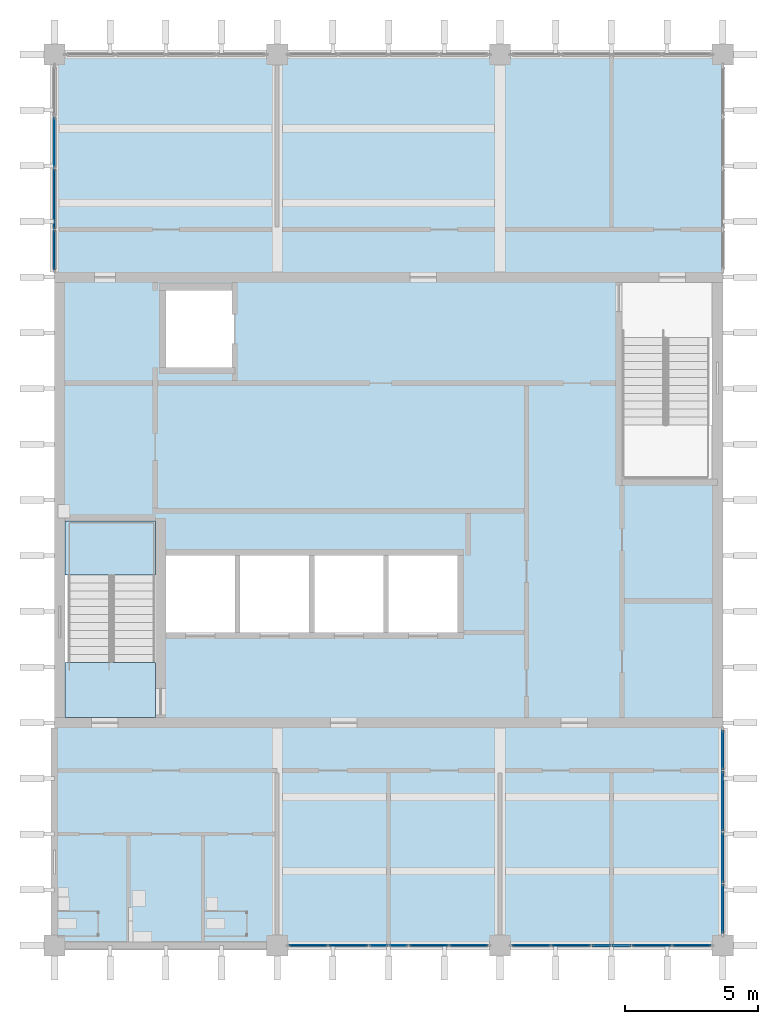
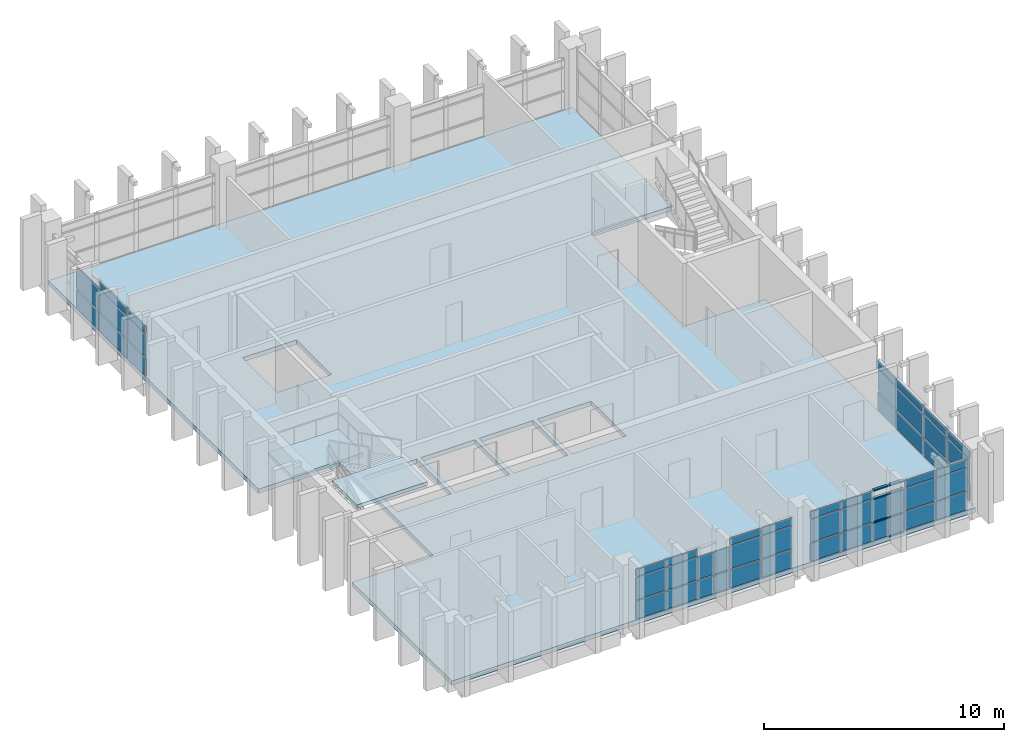
# One storey, part 5 of 11: 52 plates, 7 members, 3 slabs, 5 elements without a shape of their own.
"""IFC4 building model written with IfcOpenShell, lengths in metres."""

from ifc_helpers import new_model, si_unit, direction, frame, origin, origin_2d, place, context, subcontext, project, spatial, polyline, rectangle, outline, extrude, material, layer, layer_set, material_profile, profile_set, type_object, element, aggregate, save


model = new_model("IFC4")

# Units and contexts
model_context = context("Model", 3, precision=1e-05, world=origin(), true_north=direction((0.0, 1.0)))
body_context = subcontext(model_context, "Body", "Model", "MODEL_VIEW")
ifc_project = project(units=[si_unit("LENGTHUNIT", "METRE"), si_unit("AREAUNIT", "SQUARE_METRE"), si_unit("VOLUMEUNIT", "CUBIC_METRE"), si_unit("PLANEANGLEUNIT", "RADIAN"), si_unit("MASSUNIT", "GRAM", prefix="KILO")], contexts=[model_context])

# Site, building, storey
site_placement = place(None, origin())
site = spatial("IfcSite", under=ifc_project, at=site_placement, CompositionType="ELEMENT")
building_placement = place(site_placement, origin())
building = spatial("IfcBuilding", under=site, at=building_placement, Name="Rulbaag Community and Learning Centre", CompositionType="ELEMENT")
storey_placement = place(building_placement, frame((0.0, 0.0, 46.800048828125)))
storey = spatial("IfcBuildingStorey", under=building, at=storey_placement, Name="L12", CompositionType="ELEMENT", Elevation=46.800048828125)

# Curtain wall, members
ifc_material_1 = material(Name="Aluminium", Category="aluminium")
ifc_layer_1 = layer(ifc_material_1, 0.14990234375)
ifc_layer_set_1 = layer_set([ifc_layer_1], Name="CW-S")
curtain_wall_type_1 = type_object("IfcCurtainWallType", Name="CW-S", PredefinedType="USERDEFINED", material=ifc_layer_set_1)
curtain_wall_1_placement = place(storey_placement, origin())
curtain_wall_1 = element("IfcCurtainWall", 1, at=curtain_wall_1_placement, inside=storey, type_object=curtain_wall_type_1, Name="GS-L12-02", ObjectType="UNITISED CURTAIN WALL", PredefinedType="USERDEFINED")
ifc_material_2 = material(Name="Aluminium transom", Category="aluminium")
ifc_material_profile = material_profile(ifc_material_2, rectangle(XDim=0.125, YDim=0.06005859375, at=origin_2d()), Name="AL 60x125 T")
ifc_profile_set = profile_set([ifc_material_profile], Name="Aluminium transom")
member_type = type_object("IfcMemberType", Name="CW-S-TRN", PredefinedType="USERDEFINED", material=ifc_profile_set)
member_1_placement = place(storey_placement, frame((163.070068359375, 84.0, 1.0), z_axis=(1.0, 0.0, 0.0), x_axis=(0.0, 1.0, 0.0)))
member_1 = element("IfcMember", 2, at=member_1_placement, type_object=member_type, Name="GS transom 3.2", ObjectType="TRANSOM", PredefinedType="USERDEFINED", context=body_context, shape_type="SweptSolid", body=[
    extrude(rectangle(XDim=0.125, YDim=0.06005859375, at=origin_2d()), origin(), (0.0, 0.0, 1.0), 0.699951171875),
])
member_2_placement = place(storey_placement, frame((163.070068359375, 84.0, 2.199951171875), z_axis=(1.0, 0.0, 0.0), x_axis=(0.0, 1.0, 0.0)))
member_2 = element("IfcMember", 3, at=member_2_placement, type_object=member_type, Name="GS transom 3.3", ObjectType="TRANSOM", PredefinedType="USERDEFINED", context=body_context, shape_type="SweptSolid", body=[
    extrude(rectangle(XDim=0.125, YDim=0.06005859375, at=origin_2d()), origin(), (0.0, 0.0, 1.0), 0.699951171875),
])
member_3_placement = place(storey_placement, frame((163.070068359375, 84.0, 2.619873046875), z_axis=(1.0, 0.0, 0.0), x_axis=(0.0, 1.0, 0.0)))
member_3 = element("IfcMember", 4, at=member_3_placement, type_object=member_type, Name="GS transom 3.4", ObjectType="TRANSOM", PredefinedType="USERDEFINED", context=body_context, shape_type="SweptSolid", body=[
    extrude(rectangle(XDim=0.125, YDim=0.06005859375, at=origin_2d()), origin(), (0.0, 0.0, 1.0), 0.699951171875),
])
member_4_placement = place(storey_placement, frame((163.830078125, 84.0, 0.030029296875), z_axis=(1.0, 0.0, 0.0), x_axis=(0.0, 1.0, 0.0)))
member_4 = element("IfcMember", 5, at=member_4_placement, type_object=member_type, Name="GS transom 4.1", ObjectType="TRANSOM", PredefinedType="USERDEFINED", context=body_context, shape_type="SweptSolid", body=[
    extrude(rectangle(XDim=0.125, YDim=0.06005859375, at=origin_2d()), origin(), (0.0, 0.0, 1.0), 0.699951171875),
])
member_5_placement = place(storey_placement, frame((163.830078125, 84.0, 1.0), z_axis=(1.0, 0.0, 0.0), x_axis=(0.0, 1.0, 0.0)))
member_5 = element("IfcMember", 6, at=member_5_placement, type_object=member_type, Name="GS transom 4.2", ObjectType="TRANSOM", PredefinedType="USERDEFINED", context=body_context, shape_type="SweptSolid", body=[
    extrude(rectangle(XDim=0.125, YDim=0.06005859375, at=origin_2d()), origin(), (0.0, 0.0, 1.0), 0.699951171875),
])
member_6_placement = place(storey_placement, frame((163.830078125, 84.0, 2.199951171875), z_axis=(1.0, 0.0, 0.0), x_axis=(0.0, 1.0, 0.0)))
member_6 = element("IfcMember", 7, at=member_6_placement, type_object=member_type, Name="GS transom 4.3", ObjectType="TRANSOM", PredefinedType="USERDEFINED", context=body_context, shape_type="SweptSolid", body=[
    extrude(rectangle(XDim=0.125, YDim=0.06005859375, at=origin_2d()), origin(), (0.0, 0.0, 1.0), 0.699951171875),
])
member_7_placement = place(storey_placement, frame((163.830078125, 84.0, 2.619873046875), z_axis=(1.0, 0.0, 0.0), x_axis=(0.0, 1.0, 0.0)))
member_7 = element("IfcMember", 8, at=member_7_placement, type_object=member_type, Name="GS transom 4.4", ObjectType="TRANSOM", PredefinedType="USERDEFINED", context=body_context, shape_type="SweptSolid", body=[
    extrude(rectangle(XDim=0.125, YDim=0.06005859375, at=origin_2d()), origin(), (0.0, 0.0, 1.0), 0.699951171875),
])

# Curtain wall, plates
curtain_wall_2_placement = place(storey_placement, origin())
curtain_wall_2 = element("IfcCurtainWall", 9, at=curtain_wall_2_placement, inside=storey, type_object=curtain_wall_type_1, Name="GS-L12-01", ObjectType="UNITISED CURTAIN WALL", PredefinedType="USERDEFINED")
ifc_layer_2 = layer(ifc_material_1, 0.054931640625)
ifc_layer_set_2 = layer_set([ifc_layer_2], Name="CW-S-SPN")
plate_type_1 = type_object("IfcPlateType", Name="CW-S-SPN", PredefinedType="CURTAIN_PANEL", material=ifc_layer_set_2)
plate_1_placement = place(storey_placement, frame((152.375, 84.0, 0.06005859375), z_axis=(0.0, 0.0, 1.0), x_axis=(1.0, 0.0, 0.0)))
plate_1 = element("IfcPlate", 10, at=plate_1_placement, type_object=plate_type_1, Name="GS spandrel panel", PredefinedType="CURTAIN_PANEL", context=body_context, shape_type="SweptSolid", body=[
    extrude(rectangle(XDim=1.429931640625, YDim=0.054931640625, at=origin_2d()), origin(), (0.0, 0.0, 1.0), 0.909912109375),
])
plate_2_placement = place(storey_placement, frame((152.375, 84.0, 2.22998046875), z_axis=(0.0, 0.0, 1.0), x_axis=(1.0, 0.0, 0.0)))
plate_2 = element("IfcPlate", 11, at=plate_2_placement, type_object=plate_type_1, Name="GS spandrel panel", PredefinedType="CURTAIN_PANEL", context=body_context, shape_type="SweptSolid", body=[
    extrude(rectangle(XDim=1.429931640625, YDim=0.054931640625, at=origin_2d()), origin(), (0.0, 0.0, 1.0), 0.360107421875),
])
plate_3_placement = place(storey_placement, frame((153.8798828125, 84.0, 0.06005859375), z_axis=(0.0, 0.0, 1.0), x_axis=(1.0, 0.0, 0.0)))
plate_3 = element("IfcPlate", 12, at=plate_3_placement, type_object=plate_type_1, Name="GS spandrel panel", PredefinedType="CURTAIN_PANEL", context=body_context, shape_type="SweptSolid", body=[
    extrude(rectangle(XDim=1.4599609375, YDim=0.054931640625, at=origin_2d()), origin(), (0.0, 0.0, 1.0), 0.909912109375),
])
plate_4_placement = place(storey_placement, frame((153.8798828125, 84.0, 2.22998046875), z_axis=(0.0, 0.0, 1.0), x_axis=(1.0, 0.0, 0.0)))
plate_4 = element("IfcPlate", 13, at=plate_4_placement, type_object=plate_type_1, Name="GS spandrel panel", PredefinedType="CURTAIN_PANEL", context=body_context, shape_type="SweptSolid", body=[
    extrude(rectangle(XDim=1.4599609375, YDim=0.054931640625, at=origin_2d()), origin(), (0.0, 0.0, 1.0), 0.360107421875),
])
plate_5_placement = place(storey_placement, frame((155.02001953125, 84.0, 0.06005859375), z_axis=(0.0, 0.0, 1.0), x_axis=(1.0, 0.0, 0.0)))
plate_5 = element("IfcPlate", 14, at=plate_5_placement, type_object=plate_type_1, Name="GS spandrel panel", PredefinedType="CURTAIN_PANEL", context=body_context, shape_type="SweptSolid", body=[
    extrude(rectangle(XDim=0.699951171875, YDim=0.054931640625, at=origin_2d()), origin(), (0.0, 0.0, 1.0), 0.909912109375),
])
plate_6_placement = place(storey_placement, frame((155.780029296875, 84.0, 0.06005859375), z_axis=(0.0, 0.0, 1.0), x_axis=(1.0, 0.0, 0.0)))
plate_6 = element("IfcPlate", 15, at=plate_6_placement, type_object=plate_type_1, Name="GS spandrel panel", PredefinedType="CURTAIN_PANEL", context=body_context, shape_type="SweptSolid", body=[
    extrude(rectangle(XDim=0.699951171875, YDim=0.054931640625, at=origin_2d()), origin(), (0.0, 0.0, 1.0), 0.909912109375),
])
plate_7_placement = place(storey_placement, frame((156.919921875, 84.0, 0.06005859375), z_axis=(0.0, 0.0, 1.0), x_axis=(1.0, 0.0, 0.0)))
plate_7 = element("IfcPlate", 16, at=plate_7_placement, type_object=plate_type_1, Name="GS spandrel panel", PredefinedType="CURTAIN_PANEL", context=body_context, shape_type="SweptSolid", body=[
    extrude(rectangle(XDim=1.4599609375, YDim=0.054931640625, at=origin_2d()), origin(), (0.0, 0.0, 1.0), 0.909912109375),
])
plate_8_placement = place(storey_placement, frame((156.919921875, 84.0, 2.22998046875), z_axis=(0.0, 0.0, 1.0), x_axis=(1.0, 0.0, 0.0)))
plate_8 = element("IfcPlate", 17, at=plate_8_placement, type_object=plate_type_1, Name="GS spandrel panel", PredefinedType="CURTAIN_PANEL", context=body_context, shape_type="SweptSolid", body=[
    extrude(rectangle(XDim=1.4599609375, YDim=0.054931640625, at=origin_2d()), origin(), (0.0, 0.0, 1.0), 0.360107421875),
])
plate_9_placement = place(storey_placement, frame((158.425048828125, 84.0, 0.06005859375), z_axis=(0.0, 0.0, 1.0), x_axis=(1.0, 0.0, 0.0)))
plate_9 = element("IfcPlate", 18, at=plate_9_placement, type_object=plate_type_1, Name="GS spandrel panel", PredefinedType="CURTAIN_PANEL", context=body_context, shape_type="SweptSolid", body=[
    extrude(rectangle(XDim=1.429931640625, YDim=0.054931640625, at=origin_2d()), origin(), (0.0, 0.0, 1.0), 0.909912109375),
])
plate_10_placement = place(storey_placement, frame((158.425048828125, 84.0, 2.22998046875), z_axis=(0.0, 0.0, 1.0), x_axis=(1.0, 0.0, 0.0)))
plate_10 = element("IfcPlate", 19, at=plate_10_placement, type_object=plate_type_1, Name="GS spandrel panel", PredefinedType="CURTAIN_PANEL", context=body_context, shape_type="SweptSolid", body=[
    extrude(rectangle(XDim=1.429931640625, YDim=0.054931640625, at=origin_2d()), origin(), (0.0, 0.0, 1.0), 0.360107421875),
])

# Plate
plate_11_placement = place(storey_placement, frame((160.77490234375, 84.0, 0.06005859375), z_axis=(0.0, 0.0, 1.0), x_axis=(1.0, 0.0, 0.0)))
plate_11 = element("IfcPlate", 20, at=plate_11_placement, type_object=plate_type_1, Name="GS spandrel panel", PredefinedType="CURTAIN_PANEL", context=body_context, shape_type="SweptSolid", body=[
    extrude(rectangle(XDim=1.429931640625, YDim=0.054931640625, at=origin_2d()), origin(), (0.0, 0.0, 1.0), 0.909912109375),
])

plate_12_placement = place(storey_placement, frame((160.77490234375, 84.0, 2.22998046875), z_axis=(0.0, 0.0, 1.0), x_axis=(1.0, 0.0, 0.0)))
plate_12 = element("IfcPlate", 21, at=plate_12_placement, type_object=plate_type_1, Name="GS spandrel panel", PredefinedType="CURTAIN_PANEL", context=body_context, shape_type="SweptSolid", body=[
    extrude(rectangle(XDim=1.429931640625, YDim=0.054931640625, at=origin_2d()), origin(), (0.0, 0.0, 1.0), 0.360107421875),
])

plate_13_placement = place(storey_placement, frame((162.280029296875, 84.0, 0.06005859375), z_axis=(0.0, 0.0, 1.0), x_axis=(1.0, 0.0, 0.0)))
plate_13 = element("IfcPlate", 22, at=plate_13_placement, type_object=plate_type_1, Name="GS spandrel panel", PredefinedType="CURTAIN_PANEL", context=body_context, shape_type="SweptSolid", body=[
    extrude(rectangle(XDim=1.4599609375, YDim=0.054931640625, at=origin_2d()), origin(), (0.0, 0.0, 1.0), 0.909912109375),
])

plate_14_placement = place(storey_placement, frame((162.280029296875, 84.0, 2.22998046875), z_axis=(0.0, 0.0, 1.0), x_axis=(1.0, 0.0, 0.0)))
plate_14 = element("IfcPlate", 23, at=plate_14_placement, type_object=plate_type_1, Name="GS spandrel panel", PredefinedType="CURTAIN_PANEL", context=body_context, shape_type="SweptSolid", body=[
    extrude(rectangle(XDim=1.4599609375, YDim=0.054931640625, at=origin_2d()), origin(), (0.0, 0.0, 1.0), 0.360107421875),
])

plate_15_placement = place(storey_placement, frame((163.419921875, 84.0, 0.06005859375), z_axis=(0.0, 0.0, 1.0), x_axis=(1.0, 0.0, 0.0)))
plate_15 = element("IfcPlate", 24, at=plate_15_placement, type_object=plate_type_1, Name="GS spandrel panel", PredefinedType="CURTAIN_PANEL", context=body_context, shape_type="SweptSolid", body=[
    extrude(rectangle(XDim=0.699951171875, YDim=0.054931640625, at=origin_2d()), origin(), (0.0, 0.0, 1.0), 0.909912109375),
])

plate_16_placement = place(storey_placement, frame((164.179931640625, 84.0, 0.06005859375), z_axis=(0.0, 0.0, 1.0), x_axis=(1.0, 0.0, 0.0)))
plate_16 = element("IfcPlate", 25, at=plate_16_placement, type_object=plate_type_1, Name="GS spandrel panel", PredefinedType="CURTAIN_PANEL", context=body_context, shape_type="SweptSolid", body=[
    extrude(rectangle(XDim=0.699951171875, YDim=0.054931640625, at=origin_2d()), origin(), (0.0, 0.0, 1.0), 0.909912109375),
])

plate_17_placement = place(storey_placement, frame((165.320068359375, 84.0, 0.06005859375), z_axis=(0.0, 0.0, 1.0), x_axis=(1.0, 0.0, 0.0)))
plate_17 = element("IfcPlate", 26, at=plate_17_placement, type_object=plate_type_1, Name="GS spandrel panel", PredefinedType="CURTAIN_PANEL", context=body_context, shape_type="SweptSolid", body=[
    extrude(rectangle(XDim=1.4599609375, YDim=0.054931640625, at=origin_2d()), origin(), (0.0, 0.0, 1.0), 0.909912109375),
])

plate_18_placement = place(storey_placement, frame((165.320068359375, 84.0, 2.22998046875), z_axis=(0.0, 0.0, 1.0), x_axis=(1.0, 0.0, 0.0)))
plate_18 = element("IfcPlate", 27, at=plate_18_placement, type_object=plate_type_1, Name="GS spandrel panel", PredefinedType="CURTAIN_PANEL", context=body_context, shape_type="SweptSolid", body=[
    extrude(rectangle(XDim=1.4599609375, YDim=0.054931640625, at=origin_2d()), origin(), (0.0, 0.0, 1.0), 0.360107421875),
])

plate_19_placement = place(storey_placement, frame((166.824951171875, 84.0, 0.06005859375), z_axis=(0.0, 0.0, 1.0), x_axis=(1.0, 0.0, 0.0)))
plate_19 = element("IfcPlate", 28, at=plate_19_placement, type_object=plate_type_1, Name="GS spandrel panel", PredefinedType="CURTAIN_PANEL", context=body_context, shape_type="SweptSolid", body=[
    extrude(rectangle(XDim=1.429931640625, YDim=0.054931640625, at=origin_2d()), origin(), (0.0, 0.0, 1.0), 0.909912109375),
])

plate_20_placement = place(storey_placement, frame((166.824951171875, 84.0, 2.22998046875), z_axis=(0.0, 0.0, 1.0), x_axis=(1.0, 0.0, 0.0)))
plate_20 = element("IfcPlate", 29, at=plate_20_placement, type_object=plate_type_1, Name="GS spandrel panel", PredefinedType="CURTAIN_PANEL", context=body_context, shape_type="SweptSolid", body=[
    extrude(rectangle(XDim=1.429931640625, YDim=0.054931640625, at=origin_2d()), origin(), (0.0, 0.0, 1.0), 0.360107421875),
])

ifc_material_3 = material(Name="Glass", Category="glass")
ifc_layer_3 = layer(ifc_material_3, 0.030029296875)
ifc_layer_set_3 = layer_set([ifc_layer_3], Name="CW-S-VIS")
plate_type_2 = type_object("IfcPlateType", Name="CW-S-VIS", PredefinedType="CURTAIN_PANEL", material=ifc_layer_set_3)
plate_21_placement = place(storey_placement, frame((152.375, 84.0, 1.02978515625), z_axis=(0.0, 0.0, 1.0), x_axis=(1.0, 0.0, 0.0)))
plate_21 = element("IfcPlate", 30, at=plate_21_placement, type_object=plate_type_2, Name="GS vision panel", PredefinedType="CURTAIN_PANEL", context=body_context, shape_type="SweptSolid", body=[
    extrude(rectangle(XDim=1.429931640625, YDim=0.030029296875, at=origin_2d()), origin(), (0.0, 0.0, 1.0), 1.139892578125),
])

plate_22_placement = place(storey_placement, frame((153.8798828125, 84.0, 1.02978515625), z_axis=(0.0, 0.0, 1.0), x_axis=(1.0, 0.0, 0.0)))
plate_22 = element("IfcPlate", 31, at=plate_22_placement, type_object=plate_type_2, Name="GS vision panel", PredefinedType="CURTAIN_PANEL", context=body_context, shape_type="SweptSolid", body=[
    extrude(rectangle(XDim=1.4599609375, YDim=0.030029296875, at=origin_2d()), origin(), (0.0, 0.0, 1.0), 1.139892578125),
])

plate_23_placement = place(storey_placement, frame((155.02001953125, 84.0, 1.02978515625), z_axis=(0.0, 0.0, 1.0), x_axis=(1.0, 0.0, 0.0)))
plate_23 = element("IfcPlate", 32, at=plate_23_placement, type_object=plate_type_2, Name="GS vision panel", PredefinedType="CURTAIN_PANEL", context=body_context, shape_type="SweptSolid", body=[
    extrude(rectangle(XDim=0.699951171875, YDim=0.030029296875, at=origin_2d()), origin(), (0.0, 0.0, 1.0), 1.139892578125),
])

plate_24_placement = place(storey_placement, frame((155.780029296875, 84.0, 1.02978515625), z_axis=(0.0, 0.0, 1.0), x_axis=(1.0, 0.0, 0.0)))
plate_24 = element("IfcPlate", 33, at=plate_24_placement, type_object=plate_type_2, Name="GS vision panel", PredefinedType="CURTAIN_PANEL", context=body_context, shape_type="SweptSolid", body=[
    extrude(rectangle(XDim=0.699951171875, YDim=0.030029296875, at=origin_2d()), origin(), (0.0, 0.0, 1.0), 1.139892578125),
])

plate_25_placement = place(storey_placement, frame((156.919921875, 84.0, 1.02978515625), z_axis=(0.0, 0.0, 1.0), x_axis=(1.0, 0.0, 0.0)))
plate_25 = element("IfcPlate", 34, at=plate_25_placement, type_object=plate_type_2, Name="GS vision panel", PredefinedType="CURTAIN_PANEL", context=body_context, shape_type="SweptSolid", body=[
    extrude(rectangle(XDim=1.4599609375, YDim=0.030029296875, at=origin_2d()), origin(), (0.0, 0.0, 1.0), 1.139892578125),
])

plate_26_placement = place(storey_placement, frame((158.425048828125, 84.0, 1.02978515625), z_axis=(0.0, 0.0, 1.0), x_axis=(1.0, 0.0, 0.0)))
plate_26 = element("IfcPlate", 35, at=plate_26_placement, type_object=plate_type_2, Name="GS vision panel", PredefinedType="CURTAIN_PANEL", context=body_context, shape_type="SweptSolid", body=[
    extrude(rectangle(XDim=1.429931640625, YDim=0.030029296875, at=origin_2d()), origin(), (0.0, 0.0, 1.0), 1.139892578125),
])

aggregate(curtain_wall_2, [plate_1, plate_21, plate_2, plate_3, plate_22, plate_4, plate_5, plate_23, plate_6, plate_24, plate_7, plate_25, plate_8, plate_9, plate_26, plate_10])

plate_27_placement = place(storey_placement, frame((160.77490234375, 84.0, 1.02978515625), z_axis=(0.0, 0.0, 1.0), x_axis=(1.0, 0.0, 0.0)))
plate_27 = element("IfcPlate", 36, at=plate_27_placement, type_object=plate_type_2, Name="GS vision panel", PredefinedType="CURTAIN_PANEL", context=body_context, shape_type="SweptSolid", body=[
    extrude(rectangle(XDim=1.429931640625, YDim=0.030029296875, at=origin_2d()), origin(), (0.0, 0.0, 1.0), 1.139892578125),
])

plate_28_placement = place(storey_placement, frame((162.280029296875, 84.0, 1.02978515625), z_axis=(0.0, 0.0, 1.0), x_axis=(1.0, 0.0, 0.0)))
plate_28 = element("IfcPlate", 37, at=plate_28_placement, type_object=plate_type_2, Name="GS vision panel", PredefinedType="CURTAIN_PANEL", context=body_context, shape_type="SweptSolid", body=[
    extrude(rectangle(XDim=1.4599609375, YDim=0.030029296875, at=origin_2d()), origin(), (0.0, 0.0, 1.0), 1.139892578125),
])

plate_29_placement = place(storey_placement, frame((163.419921875, 84.0, 1.02978515625), z_axis=(0.0, 0.0, 1.0), x_axis=(1.0, 0.0, 0.0)))
plate_29 = element("IfcPlate", 38, at=plate_29_placement, type_object=plate_type_2, Name="GS vision panel", PredefinedType="CURTAIN_PANEL", context=body_context, shape_type="SweptSolid", body=[
    extrude(rectangle(XDim=0.699951171875, YDim=0.030029296875, at=origin_2d()), origin(), (0.0, 0.0, 1.0), 1.139892578125),
])

plate_30_placement = place(storey_placement, frame((164.179931640625, 84.0, 1.02978515625), z_axis=(0.0, 0.0, 1.0), x_axis=(1.0, 0.0, 0.0)))
plate_30 = element("IfcPlate", 39, at=plate_30_placement, type_object=plate_type_2, Name="GS vision panel", PredefinedType="CURTAIN_PANEL", context=body_context, shape_type="SweptSolid", body=[
    extrude(rectangle(XDim=0.699951171875, YDim=0.030029296875, at=origin_2d()), origin(), (0.0, 0.0, 1.0), 1.139892578125),
])

plate_31_placement = place(storey_placement, frame((165.320068359375, 84.0, 1.02978515625), z_axis=(0.0, 0.0, 1.0), x_axis=(1.0, 0.0, 0.0)))
plate_31 = element("IfcPlate", 40, at=plate_31_placement, type_object=plate_type_2, Name="GS vision panel", PredefinedType="CURTAIN_PANEL", context=body_context, shape_type="SweptSolid", body=[
    extrude(rectangle(XDim=1.4599609375, YDim=0.030029296875, at=origin_2d()), origin(), (0.0, 0.0, 1.0), 1.139892578125),
])

plate_32_placement = place(storey_placement, frame((166.824951171875, 84.0, 1.02978515625), z_axis=(0.0, 0.0, 1.0), x_axis=(1.0, 0.0, 0.0)))
plate_32 = element("IfcPlate", 41, at=plate_32_placement, type_object=plate_type_2, Name="GS vision panel", PredefinedType="CURTAIN_PANEL", context=body_context, shape_type="SweptSolid", body=[
    extrude(rectangle(XDim=1.429931640625, YDim=0.030029296875, at=origin_2d()), origin(), (0.0, 0.0, 1.0), 1.139892578125),
])

aggregate(curtain_wall_1, [plate_11, plate_27, plate_12, plate_13, plate_28, plate_14, member_1, member_2, member_3, plate_15, plate_29, member_4, member_5, member_6, member_7, plate_16, plate_30, plate_17, plate_31, plate_18, plate_19, plate_32, plate_20])

# Curtain wall, plates
ifc_layer_4 = layer(ifc_material_1, 0.14990234375)
ifc_layer_set_4 = layer_set([ifc_layer_4], Name="CW-T")
curtain_wall_type_2 = type_object("IfcCurtainWallType", Name="CW-T", PredefinedType="USERDEFINED", material=ifc_layer_set_4)
curtain_wall_3_placement = place(storey_placement, origin())
curtain_wall_3 = element("IfcCurtainWall", 42, at=curtain_wall_3_placement, inside=storey, type_object=curtain_wall_type_2, Name="GT-L12-04", ObjectType="UNITISED CURTAIN WALL", PredefinedType="USERDEFINED")
ifc_layer_5 = layer(ifc_material_1, 0.06005859375)
ifc_layer_set_5 = layer_set([ifc_layer_5], Name="CW-T-SPN")
plate_type_3 = type_object("IfcPlateType", Name="CW-T-SPN", PredefinedType="CURTAIN_PANEL", material=ifc_layer_set_5)
plate_33_placement = place(storey_placement, frame((142.800048828125, 110.228759765625, 0.06494140625), z_axis=(0.0, 0.0, 1.0), x_axis=(0.0, 1.0, 0.0)))
plate_33 = element("IfcPlate", 43, at=plate_33_placement, type_object=plate_type_3, Name="GT spandrel panel", PredefinedType="CURTAIN_PANEL", context=body_context, shape_type="SweptSolid", body=[
    extrude(rectangle(XDim=1.4775390625, YDim=0.06005859375, at=origin_2d()), origin(), (0.0, 0.0, 1.0), 0.902587890625),
])
plate_34_placement = place(storey_placement, frame((142.800048828125, 110.228759765625, 2.232421875), z_axis=(0.0, 0.0, 1.0), x_axis=(0.0, 1.0, 0.0)))
plate_34 = element("IfcPlate", 44, at=plate_34_placement, type_object=plate_type_3, Name="GT spandrel panel", PredefinedType="CURTAIN_PANEL", context=body_context, shape_type="SweptSolid", body=[
    extrude(rectangle(XDim=1.4775390625, YDim=0.06005859375, at=origin_2d()), origin(), (0.0, 0.0, 1.0), 0.3525390625),
])
plate_35_placement = place(storey_placement, frame((142.800048828125, 112.15625, 0.06494140625), z_axis=(0.0, 0.0, 1.0), x_axis=(0.0, 1.0, 0.0)))
plate_35 = element("IfcPlate", 45, at=plate_35_placement, type_object=plate_type_3, Name="GT spandrel panel", PredefinedType="CURTAIN_PANEL", context=body_context, shape_type="SweptSolid", body=[
    extrude(rectangle(XDim=2.24755859375, YDim=0.06005859375, at=origin_2d()), origin(), (0.0, 0.0, 1.0), 0.902587890625),
])
plate_36_placement = place(storey_placement, frame((142.800048828125, 112.15625, 2.232421875), z_axis=(0.0, 0.0, 1.0), x_axis=(0.0, 1.0, 0.0)))
plate_36 = element("IfcPlate", 46, at=plate_36_placement, type_object=plate_type_3, Name="GT spandrel panel", PredefinedType="CURTAIN_PANEL", context=body_context, shape_type="SweptSolid", body=[
    extrude(rectangle(XDim=2.24755859375, YDim=0.06005859375, at=origin_2d()), origin(), (0.0, 0.0, 1.0), 0.3525390625),
])
plate_37_placement = place(storey_placement, frame((142.800048828125, 114.284423828125, 0.06494140625), z_axis=(0.0, 0.0, 1.0), x_axis=(0.0, 1.0, 0.0)))
plate_37 = element("IfcPlate", 47, at=plate_37_placement, type_object=plate_type_3, Name="GT spandrel panel", PredefinedType="CURTAIN_PANEL", context=body_context, shape_type="SweptSolid", body=[
    extrude(rectangle(XDim=1.878662109375, YDim=0.06005859375, at=origin_2d()), origin(), (0.0, 0.0, 1.0), 0.902587890625),
])

curtain_wall_4_placement = place(storey_placement, origin())
curtain_wall_4 = element("IfcCurtainWall", 48, at=curtain_wall_4_placement, inside=storey, type_object=curtain_wall_type_2, Name="GT-L12-05", ObjectType="UNITISED CURTAIN WALL", PredefinedType="USERDEFINED")
plate_38_placement = place(storey_placement, frame((168.0, 85.38818359375, 0.06494140625), z_axis=(0.0, 0.0, 1.0), x_axis=(0.0, 1.0, 0.0)))
plate_38 = element("IfcPlate", 49, at=plate_38_placement, type_object=plate_type_3, Name="GT spandrel panel", PredefinedType="CURTAIN_PANEL", context=body_context, shape_type="SweptSolid", body=[
    extrude(rectangle(XDim=1.84619140625, YDim=0.06005859375, at=origin_2d()), origin(), (0.0, 0.0, 1.0), 0.902587890625),
])
plate_39_placement = place(storey_placement, frame((168.0, 85.38818359375, 2.232421875), z_axis=(0.0, 0.0, 1.0), x_axis=(0.0, 1.0, 0.0)))
plate_39 = element("IfcPlate", 50, at=plate_39_placement, type_object=plate_type_3, Name="GT spandrel panel", PredefinedType="CURTAIN_PANEL", context=body_context, shape_type="SweptSolid", body=[
    extrude(rectangle(XDim=1.84619140625, YDim=0.06005859375, at=origin_2d()), origin(), (0.0, 0.0, 1.0), 0.3525390625),
])
plate_40_placement = place(storey_placement, frame((168.0, 87.315673828125, 0.06494140625), z_axis=(0.0, 0.0, 1.0), x_axis=(0.0, 1.0, 0.0)))
plate_40 = element("IfcPlate", 51, at=plate_40_placement, type_object=plate_type_3, Name="GT spandrel panel", PredefinedType="CURTAIN_PANEL", context=body_context, shape_type="SweptSolid", body=[
    extrude(rectangle(XDim=1.878662109375, YDim=0.06005859375, at=origin_2d()), origin(), (0.0, 0.0, 1.0), 0.902587890625),
])
plate_41_placement = place(storey_placement, frame((168.0, 87.315673828125, 2.232421875), z_axis=(0.0, 0.0, 1.0), x_axis=(0.0, 1.0, 0.0)))
plate_41 = element("IfcPlate", 52, at=plate_41_placement, type_object=plate_type_3, Name="GT spandrel panel", PredefinedType="CURTAIN_PANEL", context=body_context, shape_type="SweptSolid", body=[
    extrude(rectangle(XDim=1.878662109375, YDim=0.06005859375, at=origin_2d()), origin(), (0.0, 0.0, 1.0), 0.3525390625),
])
plate_42_placement = place(storey_placement, frame((168.0, 89.44384765625, 0.06494140625), z_axis=(0.0, 0.0, 1.0), x_axis=(0.0, 1.0, 0.0)))
plate_42 = element("IfcPlate", 53, at=plate_42_placement, type_object=plate_type_3, Name="GT spandrel panel", PredefinedType="CURTAIN_PANEL", context=body_context, shape_type="SweptSolid", body=[
    extrude(rectangle(XDim=2.24755859375, YDim=0.06005859375, at=origin_2d()), origin(), (0.0, 0.0, 1.0), 0.902587890625),
])
plate_43_placement = place(storey_placement, frame((168.0, 89.44384765625, 2.232421875), z_axis=(0.0, 0.0, 1.0), x_axis=(0.0, 1.0, 0.0)))
plate_43 = element("IfcPlate", 54, at=plate_43_placement, type_object=plate_type_3, Name="GT spandrel panel", PredefinedType="CURTAIN_PANEL", context=body_context, shape_type="SweptSolid", body=[
    extrude(rectangle(XDim=2.24755859375, YDim=0.06005859375, at=origin_2d()), origin(), (0.0, 0.0, 1.0), 0.3525390625),
])
plate_44_placement = place(storey_placement, frame((168.0, 91.371337890625, 0.06494140625), z_axis=(0.0, 0.0, 1.0), x_axis=(0.0, 1.0, 0.0)))
plate_44 = element("IfcPlate", 55, at=plate_44_placement, type_object=plate_type_3, Name="GT spandrel panel", PredefinedType="CURTAIN_PANEL", context=body_context, shape_type="SweptSolid", body=[
    extrude(rectangle(XDim=1.4775390625, YDim=0.06005859375, at=origin_2d()), origin(), (0.0, 0.0, 1.0), 0.902587890625),
])
plate_45_placement = place(storey_placement, frame((168.0, 91.371337890625, 2.232421875), z_axis=(0.0, 0.0, 1.0), x_axis=(0.0, 1.0, 0.0)))
plate_45 = element("IfcPlate", 56, at=plate_45_placement, type_object=plate_type_3, Name="GT spandrel panel", PredefinedType="CURTAIN_PANEL", context=body_context, shape_type="SweptSolid", body=[
    extrude(rectangle(XDim=1.4775390625, YDim=0.06005859375, at=origin_2d()), origin(), (0.0, 0.0, 1.0), 0.3525390625),
])

# Plate
ifc_layer_6 = layer(ifc_material_3, 0.028076171875)
ifc_layer_set_6 = layer_set([ifc_layer_6], Name="CW-T-VIS")
plate_type_4 = type_object("IfcPlateType", Name="CW-T-VIS", PredefinedType="CURTAIN_PANEL", material=ifc_layer_set_6)
plate_46_placement = place(storey_placement, frame((142.800048828125, 110.228759765625, 1.0322265625), z_axis=(0.0, 0.0, 1.0), x_axis=(0.0, 1.0, 0.0)))
plate_46 = element("IfcPlate", 57, at=plate_46_placement, type_object=plate_type_4, Name="GT vision panel", PredefinedType="CURTAIN_PANEL", context=body_context, shape_type="SweptSolid", body=[
    extrude(rectangle(XDim=1.4775390625, YDim=0.028076171875, at=origin_2d()), origin(), (0.0, 0.0, 1.0), 1.135009765625),
])

plate_47_placement = place(storey_placement, frame((142.800048828125, 112.15625, 1.0322265625), z_axis=(0.0, 0.0, 1.0), x_axis=(0.0, 1.0, 0.0)))
plate_47 = element("IfcPlate", 58, at=plate_47_placement, type_object=plate_type_4, Name="GT vision panel", PredefinedType="CURTAIN_PANEL", context=body_context, shape_type="SweptSolid", body=[
    extrude(rectangle(XDim=2.24755859375, YDim=0.028076171875, at=origin_2d()), origin(), (0.0, 0.0, 1.0), 1.135009765625),
])

plate_48_placement = place(storey_placement, frame((142.800048828125, 114.284423828125, 1.0322265625), z_axis=(0.0, 0.0, 1.0), x_axis=(0.0, 1.0, 0.0)))
plate_48 = element("IfcPlate", 59, at=plate_48_placement, type_object=plate_type_4, Name="GT vision panel", PredefinedType="CURTAIN_PANEL", context=body_context, shape_type="SweptSolid", body=[
    extrude(rectangle(XDim=1.878662109375, YDim=0.028076171875, at=origin_2d()), origin(), (0.0, 0.0, 1.0), 1.135009765625),
])

aggregate(curtain_wall_3, [plate_33, plate_46, plate_34, plate_35, plate_47, plate_36, plate_37, plate_48])

plate_49_placement = place(storey_placement, frame((168.0, 85.38818359375, 1.0322265625), z_axis=(0.0, 0.0, 1.0), x_axis=(0.0, 1.0, 0.0)))
plate_49 = element("IfcPlate", 60, at=plate_49_placement, type_object=plate_type_4, Name="GT vision panel", PredefinedType="CURTAIN_PANEL", context=body_context, shape_type="SweptSolid", body=[
    extrude(rectangle(XDim=1.84619140625, YDim=0.028076171875, at=origin_2d()), origin(), (0.0, 0.0, 1.0), 1.135009765625),
])

plate_50_placement = place(storey_placement, frame((168.0, 87.315673828125, 1.0322265625), z_axis=(0.0, 0.0, 1.0), x_axis=(0.0, 1.0, 0.0)))
plate_50 = element("IfcPlate", 61, at=plate_50_placement, type_object=plate_type_4, Name="GT vision panel", PredefinedType="CURTAIN_PANEL", context=body_context, shape_type="SweptSolid", body=[
    extrude(rectangle(XDim=1.878662109375, YDim=0.028076171875, at=origin_2d()), origin(), (0.0, 0.0, 1.0), 1.135009765625),
])

plate_51_placement = place(storey_placement, frame((168.0, 89.44384765625, 1.0322265625), z_axis=(0.0, 0.0, 1.0), x_axis=(0.0, 1.0, 0.0)))
plate_51 = element("IfcPlate", 62, at=plate_51_placement, type_object=plate_type_4, Name="GT vision panel", PredefinedType="CURTAIN_PANEL", context=body_context, shape_type="SweptSolid", body=[
    extrude(rectangle(XDim=2.24755859375, YDim=0.028076171875, at=origin_2d()), origin(), (0.0, 0.0, 1.0), 1.135009765625),
])

plate_52_placement = place(storey_placement, frame((168.0, 91.371337890625, 1.0322265625), z_axis=(0.0, 0.0, 1.0), x_axis=(0.0, 1.0, 0.0)))
plate_52 = element("IfcPlate", 63, at=plate_52_placement, type_object=plate_type_4, Name="GT vision panel", PredefinedType="CURTAIN_PANEL", context=body_context, shape_type="SweptSolid", body=[
    extrude(rectangle(XDim=1.4775390625, YDim=0.028076171875, at=origin_2d()), origin(), (0.0, 0.0, 1.0), 1.135009765625),
])

aggregate(curtain_wall_4, [plate_38, plate_49, plate_39, plate_40, plate_50, plate_41, plate_42, plate_51, plate_43, plate_44, plate_52, plate_45])

# Stair, slabs
ifc_material_4 = material(Name="Concrete M40", Category="concrete")
stair_type = type_object("IfcStairType", Name="ST-1650 STAIR 1650 WIDE", PredefinedType="HALF_TURN_STAIR", material=ifc_material_4)
stair_placement = place(storey_placement, origin())
stair = element("IfcStair", 64, at=stair_placement, inside=storey, type_object=stair_type, Name="Stair ST1 L12", PredefinedType="HALF_TURN_STAIR")
ifc_layer_7 = layer(ifc_material_4, 0.179931640625)
ifc_layer_set_7 = layer_set([ifc_layer_7], Name="LN-180 LANDING 180 Concrete M40")
slab_type_1 = type_object("IfcSlabType", Name="LN-180 LANDING 180 Concrete M40", PredefinedType="LANDING", material=ifc_layer_set_7)
slab_1_placement = place(storey_placement, frame((0.0, 0.0, 1.619873046875)))
slab_1 = element("IfcSlab", 65, at=slab_1_placement, type_object=slab_type_1, Name="ST1 landing 1", PredefinedType="LANDING", context=body_context, shape_type="SweptSolid", body=[
    extrude(outline(polyline([(143.199951171875, 97.97509765625), (143.199951171875, 100.0), (146.60009765625, 100.0), (146.60009765625, 97.97509765625), (143.199951171875, 97.97509765625)])), origin(), (0.0, 0.0, 1.0), 0.18017578125),
])
slab_2_placement = place(storey_placement, frame((0.0, 0.0, 3.419921875)))
slab_2 = element("IfcSlab", 66, at=slab_2_placement, type_object=slab_type_1, Name="ST1 landing 2", PredefinedType="LANDING", context=body_context, shape_type="SweptSolid", body=[
    extrude(outline(polyline([(143.199951171875, 92.60009765625), (143.199951171875, 94.675048828125), (146.60009765625, 94.675048828125), (146.60009765625, 92.60009765625), (143.199951171875, 92.60009765625)])), origin(), (0.0, 0.0, 1.0), 0.179931640625),
])
aggregate(stair, [slab_1, slab_2])

# Slab
ifc_layer_8 = layer(ifc_material_4, 0.22509765625)
ifc_layer_set_8 = layer_set([ifc_layer_8], Name="S11 Floor slab 225 Concrete M40")
slab_type_2 = type_object("IfcSlabType", Name="S11 Floor slab 225 Concrete M40", PredefinedType="FLOOR", material=ifc_layer_set_8)
slab_3_placement = place(storey_placement, frame((0.0, 0.0, -0.22509765625)))
element("IfcSlab", 67, at=slab_3_placement, inside=storey, type_object=slab_type_2, Name="SL-L12-B01", PredefinedType="FLOOR", context=body_context, shape_type="SweptSolid", body=[
    extrude(outline(polyline([(168.0, 84.0), (142.800048828125, 84.0), (142.800048828125, 92.300048828125), (146.699951171875, 92.300048828125), (146.699951171875, 100.10009765625), (142.800048828125, 100.10009765625), (142.800048828125, 117.60009765625), (168.0, 117.60009765625), (168.0, 109.300048828125), (164.10009765625, 109.300048828125), (164.10009765625, 101.5), (168.0, 101.5), (168.0, 84.0)]), holes=[polyline([(147.0, 98.699951171875), (147.0, 95.800048828125), (149.60009765625, 95.800048828125), (149.60009765625, 98.699951171875), (147.0, 98.699951171875)]), polyline([(149.800048828125, 98.699951171875), (149.800048828125, 95.800048828125), (152.39990234375, 95.800048828125), (152.39990234375, 98.699951171875), (149.800048828125, 98.699951171875)]), polyline([(152.60009765625, 98.699951171875), (152.60009765625, 95.800048828125), (155.199951171875, 95.800048828125), (155.199951171875, 98.699951171875), (152.60009765625, 98.699951171875)]), polyline([(155.39990234375, 98.699951171875), (155.39990234375, 95.800048828125), (158.0, 95.800048828125), (158.0, 98.699951171875), (155.39990234375, 98.699951171875)]), polyline([(147.0, 108.699951171875), (147.0, 105.800048828125), (149.60009765625, 105.800048828125), (149.60009765625, 108.699951171875), (147.0, 108.699951171875)])]), origin(), (0.0, 0.0, 1.0), 0.22509765625),
])

save(model, "model.ifc")
